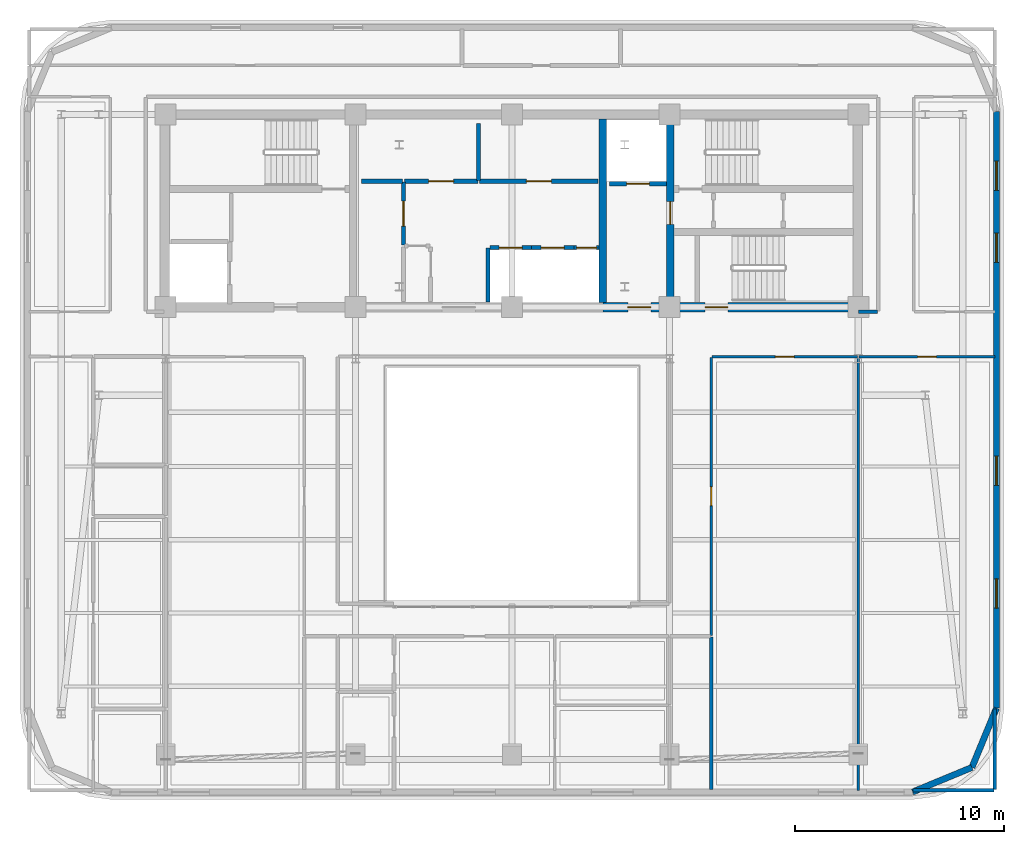
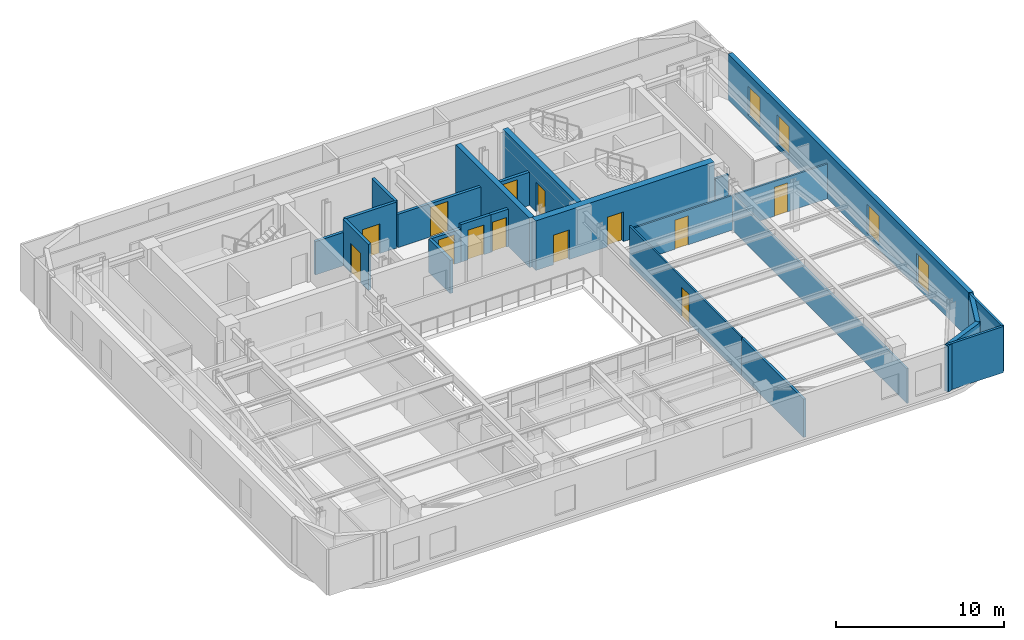
# One storey, part 8 of 14: 24 walls, 13 doors, 4 windows, 17 openings.
"""IFC4 building model written with IfcOpenShell, lengths in metres."""

from ifc_helpers import new_model, si_unit, direction, frame, frame_2d, origin, place, context, subcontext, project, spatial, rectangle, extrude, material, layer, layer_set, type_object, element, fill, save


model = new_model("IFC4")

# Units and contexts
model_context = context("Model", 3, precision=1e-05, world=origin(), true_north=direction((0.0, 1.0)))
body_context = subcontext(model_context, "Body", "Model", "MODEL_VIEW")
ifc_project = project(units=[si_unit("LENGTHUNIT", "METRE"), si_unit("AREAUNIT", "SQUARE_METRE"), si_unit("VOLUMEUNIT", "CUBIC_METRE"), si_unit("PLANEANGLEUNIT", "RADIAN"), si_unit("MASSUNIT", "GRAM", prefix="KILO")], contexts=[model_context])

# Site, building, storey
site_placement = place(None, origin())
site = spatial("IfcSite", under=ifc_project, at=site_placement, CompositionType="ELEMENT")
building_placement = place(site_placement, origin())
building = spatial("IfcBuilding", under=site, at=building_placement, Name="Zarnavel Station Tower", CompositionType="ELEMENT")
storey_placement = place(building_placement, frame((0.0, 0.0, 218.39990234375)))
storey = spatial("IfcBuildingStorey", under=building, at=storey_placement, Name="L59", CompositionType="ELEMENT", Elevation=218.39990234375)

# Wall
ifc_material_1 = material(Name="Concrete C50/60", Category="concrete")
ifc_layer_1 = layer(ifc_material_1, 0.35009765625)
ifc_layer_set_1 = layer_set([ifc_layer_1], Name="CW_350")
wall_type_1 = type_object("IfcWallType", Name="CW_350", PredefinedType="SHEAR", material=ifc_layer_set_1)
wall_1_placement = place(storey_placement, frame((33.14990234375, 28.044921875, 0.0), z_axis=(0.0, 0.0, 1.0), x_axis=(0.0, 1.0, 0.0)))
element("IfcWall", 1, at=wall_1_placement, inside=storey, type_object=wall_type_1, Name="L59 Rear Core Shear Wall DIV-E", PredefinedType="SHEAR", context=body_context, shape_type="SweptSolid", body=[
    extrude(rectangle(XDim=8.780029296875, YDim=0.35009765625, at=frame_2d((4.39013671875, 0.0))), origin(), (0.0, 0.0, 1.0), 3.60009765625),
])

# Wall, opening, door
wall_2_placement = place(storey_placement, frame((36.3798828125, 28.044921875, 0.0), z_axis=(0.0, 0.0, 1.0), x_axis=(0.0, 1.0, 0.0)))
wall_2 = element("IfcWall", 2, at=wall_2_placement, inside=storey, type_object=wall_type_1, Name="L59 Rear Core Shear Wall DIV-S2", PredefinedType="SHEAR", context=body_context, shape_type="SweptSolid", body=[
    extrude(rectangle(XDim=8.780029296875, YDim=0.35009765625, at=frame_2d((4.39013671875, 0.0))), origin(), (0.0, 0.0, 1.0), 3.60009765625),
])
opening_1_placement = place(wall_2_placement, frame((3.735107421875, 0.0, 0.0)))
opening_1 = element("IfcOpeningElement", 3, at=opening_1_placement, cuts=wall_2, Name="Opening FD01", PredefinedType="OPENING", context=body_context, shape_type="SweptSolid", body=[
    extrude(rectangle(XDim=1.10009765625, YDim=2.14990234375, at=frame_2d((0.550048828125, 1.074951171875))), frame((0.0, 0.18505859375, 0.0), z_axis=(0.0, -1.0, 0.0), x_axis=(1.0, 0.0, 0.0)), (0.0, 0.0, 1.0), 0.3701171875),
])
ifc_material_2 = material(Name="Painted Galvanised Steel and Hardwood Leaf", Category="steel")
door_type_1 = type_object("IfcDoorType", Name="ID_STAIR_1100", OperationType="NOTDEFINED", PredefinedType="DOOR", material=ifc_material_2)
door_1_placement = place(opening_1_placement, origin())
door_1 = element("IfcDoor", 4, at=door_1_placement, inside=storey, type_object=door_type_1, Name="L59 East Stair Vestibule Fire Door", OperationType="SINGLE_SWING_LEFT", OverallHeight=2.14990234375, OverallWidth=1.10009765625, PredefinedType="DOOR", context=body_context, shape_type="SweptSolid", body=[
    extrude(rectangle(XDim=1.10009765625, YDim=2.14990234375, at=frame_2d((0.550048828125, 1.074951171875))), frame((0.0, 0.02490234375, 0.0), z_axis=(0.0, -1.0, 0.0), x_axis=(1.0, 0.0, 0.0)), (0.0, 0.0, 1.0), 0.050048828125),
])
fill(opening_1, door_1)

# Wall, openings, doors
ifc_material_3 = material(Name="Concrete C50/60", Category="concrete")
ifc_layer_2 = layer(ifc_material_3, 0.449951171875)
ifc_layer_set_2 = layer_set([ifc_layer_2], Name="CW_450")
wall_type_2 = type_object("IfcWallType", Name="CW_450", PredefinedType="SHEAR", material=ifc_layer_set_2)
wall_3_placement = place(storey_placement, frame((45.3798828125, 27.820068359375, 0.0), z_axis=(0.0, 0.0, 1.0), x_axis=(-1.0, 0.0, 0.0)))
wall_3 = element("IfcWall", 5, at=wall_3_placement, inside=storey, type_object=wall_type_2, Name="L59 Rear Core Shear Wall S-E", PredefinedType="SHEAR", context=body_context, shape_type="SweptSolid", body=[
    extrude(rectangle(XDim=12.22998046875, YDim=0.449951171875, at=frame_2d((6.114990234375, 0.0))), origin(), (0.0, 0.0, 1.0), 3.60009765625),
])
opening_2_placement = place(wall_3_placement, frame((9.929931640625, 0.0, 0.0)))
opening_2 = element("IfcOpeningElement", 6, at=opening_2_placement, cuts=wall_3, Name="Opening FD01", PredefinedType="OPENING", context=body_context, shape_type="SweptSolid", body=[
    extrude(rectangle(XDim=1.10009765625, YDim=2.14990234375, at=frame_2d((0.550048828125, 1.074951171875))), frame((0.0, 0.23486328125, 0.0), z_axis=(0.0, -1.0, 0.0), x_axis=(1.0, 0.0, 0.0)), (0.0, 0.0, 1.0), 0.469970703125),
])
opening_3_placement = place(wall_3_placement, frame((6.22998046875, 0.0, 0.0)))
opening_3 = element("IfcOpeningElement", 7, at=opening_3_placement, cuts=wall_3, Name="Opening FD01", PredefinedType="OPENING", context=body_context, shape_type="SweptSolid", body=[
    extrude(rectangle(XDim=1.10009765625, YDim=2.14990234375, at=frame_2d((0.550048828125, 1.074951171875))), frame((0.0, 0.23486328125, 0.0), z_axis=(0.0, -1.0, 0.0), x_axis=(1.0, 0.0, 0.0)), (0.0, 0.0, 1.0), 0.469970703125),
])
door_2_placement = place(opening_2_placement, origin())
door_2 = element("IfcDoor", 8, at=door_2_placement, inside=storey, type_object=door_type_1, Name="L59 East Firefighting Lobby Door", OperationType="SINGLE_SWING_LEFT", OverallHeight=2.14990234375, OverallWidth=1.10009765625, PredefinedType="DOOR", context=body_context, shape_type="SweptSolid", body=[
    extrude(rectangle(XDim=1.10009765625, YDim=2.14990234375, at=frame_2d((0.550048828125, 1.074951171875))), frame((0.0, 0.02490234375, 0.0), z_axis=(0.0, -1.0, 0.0), x_axis=(1.0, 0.0, 0.0)), (0.0, 0.0, 1.0), 0.050048828125),
])
fill(opening_2, door_2)
door_3_placement = place(opening_3_placement, origin())
door_3 = element("IfcDoor", 9, at=door_3_placement, inside=storey, type_object=door_type_1, Name="L59 Stair ST3 Corridor Fire Door", OperationType="SINGLE_SWING_RIGHT", OverallHeight=2.14990234375, OverallWidth=1.10009765625, PredefinedType="DOOR", context=body_context, shape_type="SweptSolid", body=[
    extrude(rectangle(XDim=1.10009765625, YDim=2.14990234375, at=frame_2d((0.550048828125, 1.074951171875))), frame((0.0, 0.02490234375, 0.0), z_axis=(0.0, -1.0, 0.0), x_axis=(1.0, 0.0, 0.0)), (0.0, 0.0, 1.0), 0.050048828125),
])
fill(opening_3, door_3)

# Walls
ifc_material_4 = material(Name="Precast concrete C45/55 (Dark Basalt Finish)", Category="masonry")
ifc_layer_3 = layer(ifc_material_4, 0.300048828125)
ifc_layer_set_3 = layer_set([ifc_layer_3], Name="EW_BASALT_300")
wall_type_3 = type_object("IfcWallType", Name="EW_BASALT_300", PredefinedType="SOLIDWALL", material=ifc_layer_set_3)
wall_4_placement = place(storey_placement, frame((50.842529296875, 5.75732421875, 0.0), z_axis=(0.0, 0.0, 1.0), x_axis=(-0.92389884758, -0.382636798336, 0.0)))
element("IfcWall", 10, at=wall_4_placement, inside=storey, type_object=wall_type_3, Name="L59 Exterior Basalt Masonry Frame Wall 01", PredefinedType="SOLIDWALL", context=body_context, shape_type="SweptSolid", body=[
    extrude(rectangle(XDim=3.07666015625, YDim=0.300048828125, at=frame_2d((1.538330078125, 0.0))), origin(), (0.0, 0.0, 1.0), 3.340087890625),
])
wall_5_placement = place(storey_placement, frame((52.02001953125, 8.60009765625, 0.0), z_axis=(0.0, 0.0, 1.0), x_axis=(-0.382676475685, -0.923882414032, 0.0)))
element("IfcWall", 11, at=wall_5_placement, inside=storey, type_object=wall_type_3, Name="L59 Exterior Basalt Masonry Frame Wall 02", PredefinedType="SOLIDWALL", context=body_context, shape_type="SweptSolid", body=[
    extrude(rectangle(XDim=3.076904296875, YDim=0.300048828125, at=frame_2d((1.53857421875, 0.0))), origin(), (0.0, 0.0, 1.0), 3.340087890625),
])

# Wall, openings, windows
wall_6_placement = place(storey_placement, frame((52.02001953125, 37.199951171875, 0.0), z_axis=(0.0, 0.0, 1.0), x_axis=(0.0, -1.0, 0.0)))
wall_6 = element("IfcWall", 12, at=wall_6_placement, inside=storey, type_object=wall_type_3, Name="L59 Exterior Basalt Masonry Frame Wall 03", PredefinedType="SOLIDWALL", context=body_context, shape_type="SweptSolid", body=[
    extrude(rectangle(XDim=28.599853515625, YDim=0.300048828125, at=frame_2d((14.2998046875, 0.0))), origin(), (0.0, 0.0, 1.0), 3.340087890625),
])
opening_4_placement = place(wall_6_placement, frame((2.3798828125, 0.0, 0.340087890625)))
opening_4 = element("IfcOpeningElement", 13, at=opening_4_placement, cuts=wall_6, Name="Opening WN04", PredefinedType="OPENING", context=body_context, shape_type="SweptSolid", body=[
    extrude(rectangle(XDim=1.39990234375, YDim=2.10009765625, at=frame_2d((0.699951171875, 1.050048828125))), frame((0.0, 0.159912109375, 0.0), z_axis=(0.0, -1.0, 0.0), x_axis=(1.0, 0.0, 0.0)), (0.0, 0.0, 1.0), 0.320068359375),
])
opening_5_placement = place(wall_6_placement, frame((5.840087890625, 0.0, 0.340087890625)))
opening_5 = element("IfcOpeningElement", 14, at=opening_5_placement, cuts=wall_6, Name="Opening WN04", PredefinedType="OPENING", context=body_context, shape_type="SweptSolid", body=[
    extrude(rectangle(XDim=1.39990234375, YDim=2.10009765625, at=frame_2d((0.699951171875, 1.050048828125))), frame((0.0, 0.159912109375, 0.0), z_axis=(0.0, -1.0, 0.0), x_axis=(1.0, 0.0, 0.0)), (0.0, 0.0, 1.0), 0.320068359375),
])
opening_6_placement = place(wall_6_placement, frame((16.526611328125, 0.0, 0.340087890625)))
opening_6 = element("IfcOpeningElement", 15, at=opening_6_placement, cuts=wall_6, Name="Opening WN04", PredefinedType="OPENING", context=body_context, shape_type="SweptSolid", body=[
    extrude(rectangle(XDim=1.39990234375, YDim=2.10009765625, at=frame_2d((0.699951171875, 1.050048828125))), frame((0.0, 0.159912109375, 0.0), z_axis=(0.0, -1.0, 0.0), x_axis=(1.0, 0.0, 0.0)), (0.0, 0.0, 1.0), 0.320068359375),
])
opening_7_placement = place(wall_6_placement, frame((22.4033203125, 0.0, 0.340087890625)))
opening_7 = element("IfcOpeningElement", 16, at=opening_7_placement, cuts=wall_6, Name="Opening WN04", PredefinedType="OPENING", context=body_context, shape_type="SweptSolid", body=[
    extrude(rectangle(XDim=1.39990234375, YDim=2.10009765625, at=frame_2d((0.699951171875, 1.050048828125))), frame((0.0, 0.159912109375, 0.0), z_axis=(0.0, -1.0, 0.0), x_axis=(1.0, 0.0, 0.0)), (0.0, 0.0, 1.0), 0.320068359375),
])
ifc_material_5 = material(Name="Thermally Broken Black Aluminium and Low-E Dark Glass", Category="aluminium")
window_type = type_object("IfcWindowType", Name="WN_1400x2100", PartitioningType="DOUBLE_PANEL_VERTICAL", PredefinedType="WINDOW", material=ifc_material_5)
window_1_placement = place(opening_4_placement, origin())
window_1 = element("IfcWindow", 17, at=window_1_placement, inside=storey, type_object=window_type, Name="L59 Recessed Facade Window 01", OverallHeight=2.10009765625, OverallWidth=1.39990234375, PartitioningType="SINGLE_PANEL", PredefinedType="WINDOW", context=body_context, shape_type="SweptSolid", body=[
    extrude(rectangle(XDim=1.39990234375, YDim=2.10009765625, at=frame_2d((0.699951171875, 1.050048828125))), frame((0.0, 0.030029296875, 0.0), z_axis=(0.0, -1.0, 0.0), x_axis=(1.0, 0.0, 0.0)), (0.0, 0.0, 1.0), 0.06005859375),
])
fill(opening_4, window_1)
window_2_placement = place(opening_5_placement, origin())
window_2 = element("IfcWindow", 18, at=window_2_placement, inside=storey, type_object=window_type, Name="L59 Recessed Facade Window 02", OverallHeight=2.10009765625, OverallWidth=1.39990234375, PartitioningType="SINGLE_PANEL", PredefinedType="WINDOW", context=body_context, shape_type="SweptSolid", body=[
    extrude(rectangle(XDim=1.39990234375, YDim=2.10009765625, at=frame_2d((0.699951171875, 1.050048828125))), frame((0.0, 0.030029296875, 0.0), z_axis=(0.0, -1.0, 0.0), x_axis=(1.0, 0.0, 0.0)), (0.0, 0.0, 1.0), 0.06005859375),
])
fill(opening_5, window_2)
window_3_placement = place(opening_6_placement, origin())
window_3 = element("IfcWindow", 19, at=window_3_placement, inside=storey, type_object=window_type, Name="L59 Recessed Facade Window 03", OverallHeight=2.10009765625, OverallWidth=1.39990234375, PartitioningType="SINGLE_PANEL", PredefinedType="WINDOW", context=body_context, shape_type="SweptSolid", body=[
    extrude(rectangle(XDim=1.39990234375, YDim=2.10009765625, at=frame_2d((0.699951171875, 1.050048828125))), frame((0.0, 0.030029296875, 0.0), z_axis=(0.0, -1.0, 0.0), x_axis=(1.0, 0.0, 0.0)), (0.0, 0.0, 1.0), 0.06005859375),
])
fill(opening_6, window_3)
window_4_placement = place(opening_7_placement, origin())
window_4 = element("IfcWindow", 20, at=window_4_placement, inside=storey, type_object=window_type, Name="L59 Recessed Facade Window 04", OverallHeight=2.10009765625, OverallWidth=1.39990234375, PartitioningType="SINGLE_PANEL", PredefinedType="WINDOW", context=body_context, shape_type="SweptSolid", body=[
    extrude(rectangle(XDim=1.39990234375, YDim=2.10009765625, at=frame_2d((0.699951171875, 1.050048828125))), frame((0.0, 0.030029296875, 0.0), z_axis=(0.0, -1.0, 0.0), x_axis=(1.0, 0.0, 0.0)), (0.0, 0.0, 1.0), 0.06005859375),
])
fill(opening_7, window_4)

# Walls
ifc_material_6 = material(Name="Gypsum Twin-Stud Acoustic Fire Partition", Category="concrete")
ifc_layer_4 = layer(ifc_material_6, 0.159912109375)
ifc_layer_set_4 = layer_set([ifc_layer_4], Name="PT_DEMISE_160")
wall_type_4 = type_object("IfcWallType", Name="PT_DEMISE_160", PredefinedType="PARTITIONING", material=ifc_layer_set_4)
wall_7_placement = place(storey_placement, frame((45.409912109375, 27.60009765625, 0.0), z_axis=(0.0, 0.0, 1.0), x_axis=(1.0, 0.0, 0.0)))
element("IfcWall", 21, at=wall_7_placement, inside=storey, type_object=wall_type_4, Name="L59 Enclosure Wall COR-S", PredefinedType="PARTITIONING", context=body_context, shape_type="SweptSolid", body=[
    extrude(rectangle(XDim=0.91015625, YDim=0.159912109375, at=frame_2d((0.455078125, 0.0))), origin(), (0.0, 0.0, 1.0), 2.41015625),
])
wall_8_placement = place(storey_placement, frame((38.35009765625, 4.68994140625, 0.0), z_axis=(0.0, 0.0, 1.0), x_axis=(0.0, 1.0, 0.0)))
element("IfcWall", 22, at=wall_8_placement, inside=storey, type_object=wall_type_4, Name="L59 Enclosure Wall L59SPA", PredefinedType="PARTITIONING", context=body_context, shape_type="SweptSolid", body=[
    extrude(rectangle(XDim=7.330078125, YDim=0.159912109375, at=frame_2d((3.6650390625, 0.0))), origin(), (0.0, 0.0, 1.0), 2.77001953125),
])
wall_9_placement = place(storey_placement, frame((48.030029296875, 4.659912109375, 0.0), z_axis=(0.0, 0.0, 1.0), x_axis=(1.0, 0.0, 0.0)))
element("IfcWall", 23, at=wall_9_placement, inside=storey, type_object=wall_type_4, Name="L59 Enclosure Wall L59TEA", PredefinedType="PARTITIONING", context=body_context, shape_type="SweptSolid", body=[
    extrude(rectangle(XDim=3.8798828125, YDim=0.159912109375, at=frame_2d((1.93994140625, 0.0))), origin(), (0.0, 0.0, 1.0), 3.340087890625),
])
wall_10_placement = place(storey_placement, frame((51.93994140625, 4.68994140625, 0.0), z_axis=(0.0, 0.0, 1.0), x_axis=(0.0, 1.0, 0.0)))
element("IfcWall", 24, at=wall_10_placement, inside=storey, type_object=wall_type_4, Name="L59 Enclosure Wall L59TEA", PredefinedType="PARTITIONING", context=body_context, shape_type="SweptSolid", body=[
    extrude(rectangle(XDim=3.880126953125, YDim=0.159912109375, at=frame_2d((1.93994140625, 0.0))), origin(), (0.0, 0.0, 1.0), 3.340087890625),
])

# Wall, opening, door
ifc_material_7 = material(Name="Gypsum Metal-Stud Interior Partition", Category="concrete")
ifc_layer_5 = layer(ifc_material_7, 0.1201171875)
ifc_layer_set_5 = layer_set([ifc_layer_5], Name="PT_ROOM_120")
wall_type_5 = type_object("IfcWallType", Name="PT_ROOM_120", PredefinedType="PARTITIONING", material=ifc_layer_set_5)
wall_11_placement = place(storey_placement, frame((38.389892578125, 25.449951171875, 0.0), z_axis=(0.0, 0.0, 1.0), x_axis=(1.0, 0.0, 0.0)))
wall_11 = element("IfcWall", 25, at=wall_11_placement, inside=storey, type_object=wall_type_5, Name="L59 Partition COR-S-L59SPA", PredefinedType="PARTITIONING", context=body_context, shape_type="SweptSolid", body=[
    extrude(rectangle(XDim=6.97021484375, YDim=0.1201171875, at=frame_2d((3.485107421875, 0.0))), origin(), (0.0, 0.0, 1.0), 2.52001953125),
])
opening_8_placement = place(wall_11_placement, frame((3.034912109375, 0.0, 0.0)))
opening_8 = element("IfcOpeningElement", 26, at=opening_8_placement, cuts=wall_11, Name="Opening ID01", PredefinedType="OPENING", context=body_context, shape_type="SweptSolid", body=[
    extrude(rectangle(XDim=0.89990234375, YDim=2.10009765625, at=frame_2d((0.449951171875, 1.050048828125))), frame((0.0, 0.070068359375, 0.0), z_axis=(0.0, -1.0, 0.0), x_axis=(1.0, 0.0, 0.0)), (0.0, 0.0, 1.0), 0.14013671875),
])
ifc_material_8 = material(Name="Painted Galvanised Steel and Hardwood Leaf", Category="steel")
door_type_2 = type_object("IfcDoorType", Name="ID_ROOM_900", OperationType="NOTDEFINED", PredefinedType="DOOR", material=ifc_material_8)
door_4_placement = place(opening_8_placement, origin())
door_4 = element("IfcDoor", 27, at=door_4_placement, inside=storey, type_object=door_type_2, Name="L59 Door COR-S-L59SPA", OperationType="SINGLE_SWING_RIGHT", OverallHeight=2.10009765625, OverallWidth=0.89990234375, PredefinedType="DOOR", context=body_context, shape_type="SweptSolid", body=[
    extrude(rectangle(XDim=0.89990234375, YDim=2.10009765625, at=frame_2d((0.449951171875, 1.050048828125))), frame((0.0, 0.02490234375, 0.0), z_axis=(0.0, -1.0, 0.0), x_axis=(1.0, 0.0, 0.0)), (0.0, 0.0, 1.0), 0.050048828125),
])
fill(opening_8, door_4)

wall_12_placement = place(storey_placement, frame((45.43994140625, 25.449951171875, 0.0), z_axis=(0.0, 0.0, 1.0), x_axis=(1.0, 0.0, 0.0)))
wall_12 = element("IfcWall", 28, at=wall_12_placement, inside=storey, type_object=wall_type_5, Name="L59 Partition COR-S-L59TEA", PredefinedType="PARTITIONING", context=body_context, shape_type="SweptSolid", body=[
    extrude(rectangle(XDim=6.5, YDim=0.1201171875, at=frame_2d((3.25, 0.0))), origin(), (0.0, 0.0, 1.0), 2.52001953125),
])
opening_9_placement = place(wall_12_placement, frame((2.800048828125, 0.0, 0.0)))
opening_9 = element("IfcOpeningElement", 29, at=opening_9_placement, cuts=wall_12, Name="Opening ID01", PredefinedType="OPENING", context=body_context, shape_type="SweptSolid", body=[
    extrude(rectangle(XDim=0.89990234375, YDim=2.10009765625, at=frame_2d((0.449951171875, 1.050048828125))), frame((0.0, 0.070068359375, 0.0), z_axis=(0.0, -1.0, 0.0), x_axis=(1.0, 0.0, 0.0)), (0.0, 0.0, 1.0), 0.14013671875),
])
door_5_placement = place(opening_9_placement, origin())
door_5 = element("IfcDoor", 30, at=door_5_placement, inside=storey, type_object=door_type_2, Name="L59 Door COR-S-L59TEA", OperationType="SINGLE_SWING_LEFT", OverallHeight=2.10009765625, OverallWidth=0.89990234375, PredefinedType="DOOR", context=body_context, shape_type="SweptSolid", body=[
    extrude(rectangle(XDim=0.89990234375, YDim=2.10009765625, at=frame_2d((0.449951171875, 1.050048828125))), frame((0.0, 0.02490234375, 0.0), z_axis=(0.0, -1.0, 0.0), x_axis=(1.0, 0.0, 0.0)), (0.0, 0.0, 1.0), 0.050048828125),
])
fill(opening_9, door_5)

wall_13_placement = place(storey_placement, frame((38.35009765625, 12.090087890625, 0.0), z_axis=(0.0, 0.0, 1.0), x_axis=(0.0, 1.0, 0.0)))
wall_13 = element("IfcWall", 31, at=wall_13_placement, inside=storey, type_object=wall_type_5, Name="L59 Partition COR-AE-L59SPA", PredefinedType="PARTITIONING", context=body_context, shape_type="SweptSolid", body=[
    extrude(rectangle(XDim=13.31982421875, YDim=0.1201171875, at=frame_2d((6.659912109375, 0.0))), origin(), (0.0, 0.0, 1.0), 2.77001953125),
])
opening_10_placement = place(wall_13_placement, frame((6.2099609375, 0.0, 0.0)))
opening_10 = element("IfcOpeningElement", 32, at=opening_10_placement, cuts=wall_13, Name="Opening ID01", PredefinedType="OPENING", context=body_context, shape_type="SweptSolid", body=[
    extrude(rectangle(XDim=0.89990234375, YDim=2.10009765625, at=frame_2d((0.449951171875, 1.050048828125))), frame((0.0, 0.070068359375, 0.0), z_axis=(0.0, -1.0, 0.0), x_axis=(1.0, 0.0, 0.0)), (0.0, 0.0, 1.0), 0.14013671875),
])
door_6_placement = place(opening_10_placement, origin())
door_6 = element("IfcDoor", 33, at=door_6_placement, inside=storey, type_object=door_type_2, Name="L59 Door COR-AE-L59SPA", OperationType="SINGLE_SWING_LEFT", OverallHeight=2.10009765625, OverallWidth=0.89990234375, PredefinedType="DOOR", context=body_context, shape_type="SweptSolid", body=[
    extrude(rectangle(XDim=0.89990234375, YDim=2.10009765625, at=frame_2d((0.449951171875, 1.050048828125))), frame((0.0, 0.02490234375, 0.0), z_axis=(0.0, -1.0, 0.0), x_axis=(1.0, 0.0, 0.0)), (0.0, 0.0, 1.0), 0.050048828125),
])
fill(opening_10, door_6)

# Wall
wall_14_placement = place(storey_placement, frame((45.39990234375, 4.659912109375, 0.0), z_axis=(0.0, 0.0, 1.0), x_axis=(0.0, 1.0, 0.0)))
element("IfcWall", 34, at=wall_14_placement, inside=storey, type_object=wall_type_5, Name="L59 Partition L59SPA-L59TEA", PredefinedType="PARTITIONING", context=body_context, shape_type="SweptSolid", body=[
    extrude(rectangle(XDim=20.75, YDim=0.1201171875, at=frame_2d((10.375, 0.0))), origin(), (0.0, 0.0, 1.0), 2.52001953125),
])

# Wall, opening, door
ifc_material_9 = material(Name="Precast concrete C45/55 (Fire Shaft Blockwork)", Category="masonry")
ifc_layer_6 = layer(ifc_material_9, 0.199951171875)
ifc_layer_set_6 = layer_set([ifc_layer_6], Name="PT_SHAFT_200")
wall_type_6 = type_object("IfcWallType", Name="PT_SHAFT_200", PredefinedType="PARTITIONING", material=ifc_layer_set_6)
wall_15_placement = place(storey_placement, frame((33.47509765625, 33.72998046875, 0.0), z_axis=(0.0, 0.0, 1.0), x_axis=(1.0, 0.0, 0.0)))
wall_15 = element("IfcWall", 35, at=wall_15_placement, inside=storey, type_object=wall_type_6, Name="L59 Lift FFL-02 Shaft Front Wall", PredefinedType="PARTITIONING", context=body_context, shape_type="SweptSolid", body=[
    extrude(rectangle(XDim=2.724853515625, YDim=0.199951171875, at=frame_2d((1.3623046875, 0.0))), origin(), (0.0, 0.0, 1.0), 2.41015625),
])
opening_11_placement = place(wall_15_placement, frame((0.8125, 0.0, 0.0)))
opening_11 = element("IfcOpeningElement", 36, at=opening_11_placement, cuts=wall_15, Name="Opening LD01", PredefinedType="OPENING", context=body_context, shape_type="SweptSolid", body=[
    extrude(rectangle(XDim=1.10009765625, YDim=2.14990234375, at=frame_2d((0.550048828125, 1.074951171875))), frame((0.0, 0.10986328125, 0.0), z_axis=(0.0, -1.0, 0.0), x_axis=(1.0, 0.0, 0.0)), (0.0, 0.0, 1.0), 0.219970703125),
])
ifc_material_10 = material(Name="Painted Galvanised Steel and Hardwood Leaf", Category="steel")
door_type_3 = type_object("IfcDoorType", Name="LD_FF_1100", OperationType="DOUBLE_DOOR_SLIDING", PredefinedType="DOOR", material=ifc_material_10)
door_7_placement = place(opening_11_placement, origin())
door_7 = element("IfcDoor", 37, at=door_7_placement, inside=storey, type_object=door_type_3, Name="L59 Lift FFL-02 Sliding Landing Door", OperationType="DOUBLE_DOOR_SLIDING", OverallHeight=2.14990234375, OverallWidth=1.10009765625, PredefinedType="DOOR", context=body_context, shape_type="SweptSolid", body=[
    extrude(rectangle(XDim=1.10009765625, YDim=2.14990234375, at=frame_2d((0.550048828125, 1.074951171875))), frame((0.0, 0.02490234375, 0.0), z_axis=(0.0, -1.0, 0.0), x_axis=(1.0, 0.0, 0.0)), (0.0, 0.0, 1.0), 0.050048828125),
])
fill(opening_11, door_7)

wall_16_placement = place(storey_placement, frame((27.75, 30.669921875, 0.0), z_axis=(0.0, 0.0, 1.0), x_axis=(1.0, 0.0, 0.0)))
wall_16 = element("IfcWall", 38, at=wall_16_placement, inside=storey, type_object=wall_type_6, Name="L59 Lift PL-H1 Shaft Front Wall", PredefinedType="PARTITIONING", context=body_context, shape_type="SweptSolid", body=[
    extrude(rectangle(XDim=1.97509765625, YDim=0.199951171875, at=frame_2d((0.987548828125, 0.0))), origin(), (0.0, 0.0, 1.0), 2.41015625),
])
opening_12_placement = place(wall_16_placement, frame((0.4375, 0.0, 0.0)))
opening_12 = element("IfcOpeningElement", 39, at=opening_12_placement, cuts=wall_16, Name="Opening LD02", PredefinedType="OPENING", context=body_context, shape_type="SweptSolid", body=[
    extrude(rectangle(XDim=1.10009765625, YDim=2.14990234375, at=frame_2d((0.550048828125, 1.074951171875))), frame((0.0, 0.10986328125, 0.0), z_axis=(0.0, -1.0, 0.0), x_axis=(1.0, 0.0, 0.0)), (0.0, 0.0, 1.0), 0.219970703125),
])
ifc_material_11 = material(Name="Painted Galvanised Steel and Hardwood Leaf", Category="steel")
door_type_4 = type_object("IfcDoorType", Name="LD_PAX_1100", OperationType="DOUBLE_DOOR_SLIDING", PredefinedType="DOOR", material=ifc_material_11)
door_8_placement = place(opening_12_placement, origin())
door_8 = element("IfcDoor", 40, at=door_8_placement, inside=storey, type_object=door_type_4, Name="L59 Lift PL-H1 Sliding Landing Door", OperationType="DOUBLE_DOOR_SLIDING", OverallHeight=2.14990234375, OverallWidth=1.10009765625, PredefinedType="DOOR", context=body_context, shape_type="SweptSolid", body=[
    extrude(rectangle(XDim=1.10009765625, YDim=2.14990234375, at=frame_2d((0.550048828125, 1.074951171875))), frame((0.0, 0.02490234375, 0.0), z_axis=(0.0, -1.0, 0.0), x_axis=(1.0, 0.0, 0.0)), (0.0, 0.0, 1.0), 0.050048828125),
])
fill(opening_12, door_8)

# Wall
wall_17_placement = place(storey_placement, frame((27.64990234375, 28.070068359375, 0.0), z_axis=(0.0, 0.0, 1.0), x_axis=(0.0, 1.0, 0.0)))
element("IfcWall", 41, at=wall_17_placement, inside=storey, type_object=wall_type_6, Name="L59 High-Rise Lift Bank West Shaft Wall", PredefinedType="PARTITIONING", context=body_context, shape_type="SweptSolid", body=[
    extrude(rectangle(XDim=2.579833984375, YDim=0.199951171875, at=frame_2d((1.2900390625, 0.0))), origin(), (0.0, 0.0, 1.0), 2.41015625),
])

# Wall, opening, door
wall_18_placement = place(storey_placement, frame((29.72509765625, 30.669921875, 0.0), z_axis=(0.0, 0.0, 1.0), x_axis=(1.0, 0.0, 0.0)))
wall_18 = element("IfcWall", 42, at=wall_18_placement, inside=storey, type_object=wall_type_6, Name="L59 Lift PL-H2 Shaft Front Wall", PredefinedType="PARTITIONING", context=body_context, shape_type="SweptSolid", body=[
    extrude(rectangle(XDim=2.0498046875, YDim=0.199951171875, at=frame_2d((1.02490234375, 0.0))), origin(), (0.0, 0.0, 1.0), 2.72021484375),
])
opening_13_placement = place(wall_18_placement, frame((0.47509765625, 0.0, 0.0)))
opening_13 = element("IfcOpeningElement", 43, at=opening_13_placement, cuts=wall_18, Name="Opening LD02", PredefinedType="OPENING", context=body_context, shape_type="SweptSolid", body=[
    extrude(rectangle(XDim=1.10009765625, YDim=2.14990234375, at=frame_2d((0.550048828125, 1.074951171875))), frame((0.0, 0.10986328125, 0.0), z_axis=(0.0, -1.0, 0.0), x_axis=(1.0, 0.0, 0.0)), (0.0, 0.0, 1.0), 0.219970703125),
])
door_9_placement = place(opening_13_placement, origin())
door_9 = element("IfcDoor", 44, at=door_9_placement, inside=storey, type_object=door_type_4, Name="L59 Lift PL-H2 Sliding Landing Door", OperationType="DOUBLE_DOOR_SLIDING", OverallHeight=2.14990234375, OverallWidth=1.10009765625, PredefinedType="DOOR", context=body_context, shape_type="SweptSolid", body=[
    extrude(rectangle(XDim=1.10009765625, YDim=2.14990234375, at=frame_2d((0.550048828125, 1.074951171875))), frame((0.0, 0.02490234375, 0.0), z_axis=(0.0, -1.0, 0.0), x_axis=(1.0, 0.0, 0.0)), (0.0, 0.0, 1.0), 0.050048828125),
])
fill(opening_13, door_9)

wall_19_placement = place(storey_placement, frame((31.77490234375, 30.669921875, 0.0), z_axis=(0.0, 0.0, 1.0), x_axis=(1.0, 0.0, 0.0)))
wall_19 = element("IfcWall", 45, at=wall_19_placement, inside=storey, type_object=wall_type_6, Name="L59 Lift PL-H3 Shaft Front Wall", PredefinedType="PARTITIONING", context=body_context, shape_type="SweptSolid", body=[
    extrude(rectangle(XDim=1.2001953125, YDim=0.199951171875, at=frame_2d((0.60009765625, 0.0))), origin(), (0.0, 0.0, 1.0), 2.72021484375),
])
opening_14_placement = place(wall_19_placement, frame((0.125, 0.0, 0.0)))
opening_14 = element("IfcOpeningElement", 46, at=opening_14_placement, cuts=wall_19, Name="Opening LD03", PredefinedType="OPENING", context=body_context, shape_type="SweptSolid", body=[
    extrude(rectangle(XDim=0.949951171875, YDim=2.14990234375, at=frame_2d((0.47509765625, 1.074951171875))), frame((0.0, 0.10986328125, 0.0), z_axis=(0.0, -1.0, 0.0), x_axis=(1.0, 0.0, 0.0)), (0.0, 0.0, 1.0), 0.219970703125),
])
ifc_material_12 = material(Name="Painted Galvanised Steel and Hardwood Leaf", Category="steel")
door_type_5 = type_object("IfcDoorType", Name="LD_PAX_0950", OperationType="DOUBLE_DOOR_SLIDING", PredefinedType="DOOR", material=ifc_material_12)
door_10_placement = place(opening_14_placement, origin())
door_10 = element("IfcDoor", 47, at=door_10_placement, inside=storey, type_object=door_type_5, Name="L59 Lift PL-H3 Sliding Landing Door", OperationType="DOUBLE_DOOR_SLIDING", OverallHeight=2.14990234375, OverallWidth=0.949951171875, PredefinedType="DOOR", context=body_context, shape_type="SweptSolid", body=[
    extrude(rectangle(XDim=0.949951171875, YDim=2.14990234375, at=frame_2d((0.47509765625, 1.074951171875))), frame((0.0, 0.02490234375, 0.0), z_axis=(0.0, -1.0, 0.0), x_axis=(1.0, 0.0, 0.0)), (0.0, 0.0, 1.0), 0.050048828125),
])
fill(opening_14, door_10)

wall_20_placement = place(storey_placement, frame((23.60009765625, 30.7900390625, 0.0), z_axis=(0.0, 0.0, 1.0), x_axis=(0.0, 1.0, 0.0)))
wall_20 = element("IfcWall", 48, at=wall_20_placement, inside=storey, type_object=wall_type_6, Name="L59 Partition LLOB-CS1", PredefinedType="PARTITIONING", context=body_context, shape_type="SweptSolid", body=[
    extrude(rectangle(XDim=3.02001953125, YDim=0.199951171875, at=frame_2d((1.510009765625, 0.0))), origin(), (0.0, 0.0, 1.0), 3.340087890625),
])
opening_15_placement = place(wall_20_placement, frame((0.909912109375, 0.0, 0.0)))
opening_15 = element("IfcOpeningElement", 49, at=opening_15_placement, cuts=wall_20, Name="Opening FD03", PredefinedType="OPENING", context=body_context, shape_type="SweptSolid", body=[
    extrude(rectangle(XDim=1.199951171875, YDim=2.14990234375, at=frame_2d((0.60009765625, 1.074951171875))), frame((0.0, 0.10986328125, 0.0), z_axis=(0.0, -1.0, 0.0), x_axis=(1.0, 0.0, 0.0)), (0.0, 0.0, 1.0), 0.219970703125),
])
ifc_material_13 = material(Name="Painted Galvanised Steel and Hardwood Leaf", Category="steel")
door_type_6 = type_object("IfcDoorType", Name="ID_PLANT_1200", OperationType="NOTDEFINED", PredefinedType="DOOR", material=ifc_material_13)
door_11_placement = place(opening_15_placement, origin())
door_11 = element("IfcDoor", 50, at=door_11_placement, inside=storey, type_object=door_type_6, Name="L59 Door LLOB-CS1", OperationType="SINGLE_SWING_LEFT", OverallHeight=2.14990234375, OverallWidth=1.199951171875, PredefinedType="DOOR", context=body_context, shape_type="SweptSolid", body=[
    extrude(rectangle(XDim=1.199951171875, YDim=2.14990234375, at=frame_2d((0.60009765625, 1.074951171875))), frame((0.0, 0.02490234375, 0.0), z_axis=(0.0, -1.0, 0.0), x_axis=(1.0, 0.0, 0.0)), (0.0, 0.0, 1.0), 0.050048828125),
])
fill(opening_15, door_11)

wall_21_placement = place(storey_placement, frame((23.639892578125, 33.85009765625, 0.0), z_axis=(0.0, 0.0, 1.0), x_axis=(1.0, 0.0, 0.0)))
wall_21 = element("IfcWall", 51, at=wall_21_placement, inside=storey, type_object=wall_type_6, Name="L59 Partition LLOB-FB2A", PredefinedType="PARTITIONING", context=body_context, shape_type="SweptSolid", body=[
    extrude(rectangle(XDim=3.52001953125, YDim=0.199951171875, at=frame_2d((1.760009765625, 0.0))), origin(), (0.0, 0.0, 1.0), 3.340087890625),
])
opening_16_placement = place(wall_21_placement, frame((1.159912109375, 0.0, 0.0)))
opening_16 = element("IfcOpeningElement", 52, at=opening_16_placement, cuts=wall_21, Name="Opening FD03", PredefinedType="OPENING", context=body_context, shape_type="SweptSolid", body=[
    extrude(rectangle(XDim=1.199951171875, YDim=2.14990234375, at=frame_2d((0.60009765625, 1.074951171875))), frame((0.0, 0.10986328125, 0.0), z_axis=(0.0, -1.0, 0.0), x_axis=(1.0, 0.0, 0.0)), (0.0, 0.0, 1.0), 0.219970703125),
])
door_12_placement = place(opening_16_placement, origin())
door_12 = element("IfcDoor", 53, at=door_12_placement, inside=storey, type_object=door_type_6, Name="L59 Door LLOB-FB2A", OperationType="SINGLE_SWING_LEFT", OverallHeight=2.14990234375, OverallWidth=1.199951171875, PredefinedType="DOOR", context=body_context, shape_type="SweptSolid", body=[
    extrude(rectangle(XDim=1.199951171875, YDim=2.14990234375, at=frame_2d((0.60009765625, 1.074951171875))), frame((0.0, 0.02490234375, 0.0), z_axis=(0.0, -1.0, 0.0), x_axis=(1.0, 0.0, 0.0)), (0.0, 0.0, 1.0), 0.050048828125),
])
fill(opening_16, door_12)

wall_22_placement = place(storey_placement, frame((27.239990234375, 33.85009765625, 0.0), z_axis=(0.0, 0.0, 1.0), x_axis=(1.0, 0.0, 0.0)))
wall_22 = element("IfcWall", 54, at=wall_22_placement, inside=storey, type_object=wall_type_6, Name="L59 Partition LLOB-FB2B", PredefinedType="PARTITIONING", context=body_context, shape_type="SweptSolid", body=[
    extrude(rectangle(XDim=5.68994140625, YDim=0.199951171875, at=frame_2d((2.844970703125, 0.0))), origin(), (0.0, 0.0, 1.0), 2.41015625),
])
opening_17_placement = place(wall_22_placement, frame((2.2451171875, 0.0, 0.0)))
opening_17 = element("IfcOpeningElement", 55, at=opening_17_placement, cuts=wall_22, Name="Opening FD03", PredefinedType="OPENING", context=body_context, shape_type="SweptSolid", body=[
    extrude(rectangle(XDim=1.199951171875, YDim=2.14990234375, at=frame_2d((0.60009765625, 1.074951171875))), frame((0.0, 0.10986328125, 0.0), z_axis=(0.0, -1.0, 0.0), x_axis=(1.0, 0.0, 0.0)), (0.0, 0.0, 1.0), 0.219970703125),
])
door_13_placement = place(opening_17_placement, origin())
door_13 = element("IfcDoor", 56, at=door_13_placement, inside=storey, type_object=door_type_6, Name="L59 Door LLOB-FB2B", OperationType="SINGLE_SWING_RIGHT", OverallHeight=2.14990234375, OverallWidth=1.199951171875, PredefinedType="DOOR", context=body_context, shape_type="SweptSolid", body=[
    extrude(rectangle(XDim=1.199951171875, YDim=2.14990234375, at=frame_2d((0.60009765625, 1.074951171875))), frame((0.0, 0.02490234375, 0.0), z_axis=(0.0, -1.0, 0.0), x_axis=(1.0, 0.0, 0.0)), (0.0, 0.0, 1.0), 0.050048828125),
])
fill(opening_17, door_13)

# Walls
wall_23_placement = place(storey_placement, frame((21.590087890625, 33.85009765625, 0.0), z_axis=(0.0, 0.0, 1.0), x_axis=(1.0, 0.0, 0.0)))
element("IfcWall", 57, at=wall_23_placement, inside=storey, type_object=wall_type_6, Name="L59 Partition CS1-FB2A", PredefinedType="PARTITIONING", context=body_context, shape_type="SweptSolid", body=[
    extrude(rectangle(XDim=1.969970703125, YDim=0.199951171875, at=frame_2d((0.98486328125, 0.0))), origin(), (0.0, 0.0, 1.0), 2.41015625),
])
wall_24_placement = place(storey_placement, frame((27.199951171875, 33.889892578125, 0.0), z_axis=(0.0, 0.0, 1.0), x_axis=(0.0, 1.0, 0.0)))
element("IfcWall", 58, at=wall_24_placement, inside=storey, type_object=wall_type_6, Name="L59 Partition FB2A-FB2B", PredefinedType="PARTITIONING", context=body_context, shape_type="SweptSolid", body=[
    extrude(rectangle(XDim=2.72021484375, YDim=0.199951171875, at=frame_2d((1.360107421875, 0.0))), origin(), (0.0, 0.0, 1.0), 3.340087890625),
])

save(model, "model.ifc")
